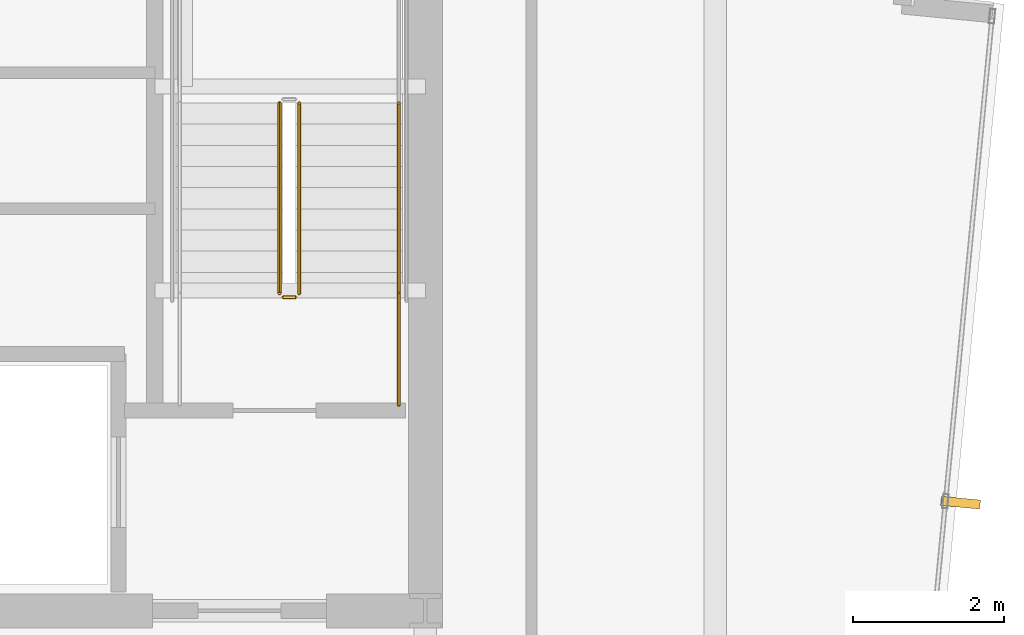
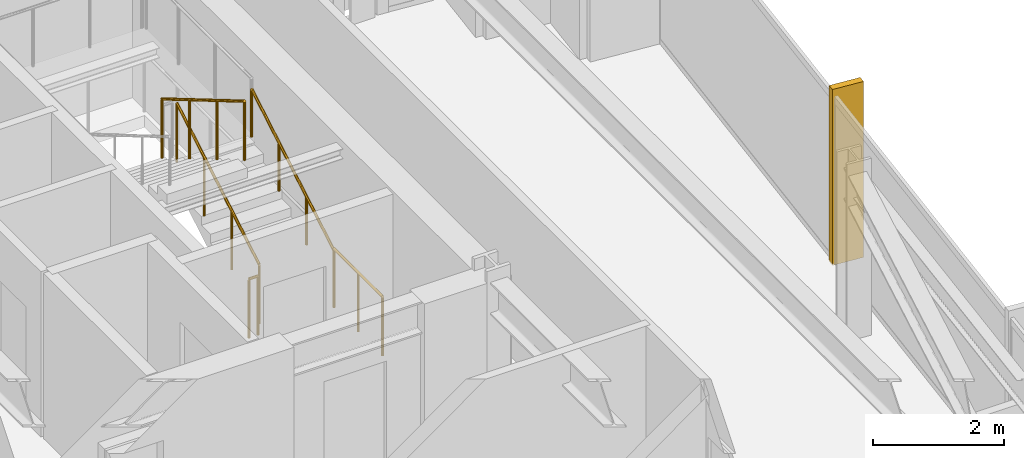
# One storey, part 36 of 38: 5 railings, 1 shading device.
"""IFC4 building model written with IfcOpenShell, lengths in metres."""

import ifcopenshell
import ifcopenshell.guid

model = None  # the IFC model being written
_history = None  # IfcOwnerHistory: only IFC2X3 demands one
_inside = {}  # id of a spatial element -> (the spatial element, [elements in it])
_under = {}  # id of a project, library or spatial element -> (it, [spatial elements below it])
_declared = {}  # id of a project -> (the project, [libraries it declares])
_typed = {}  # id of a type object -> (the type object, [elements of that type])
_made_of = {}  # id of a material, layer set ... -> (it, [elements and type objects made of it])


def new_model(schema):
    """Start an empty IFC model of exactly this schema.

    Asked for "IFC4X3", IfcOpenShell would pick the latest addendum, in which some entities
    have other attributes; the version numbers below select the first issue.
    IFC2X3 requires an IfcOwnerHistory on every rooted entity: one is made here for all.
    """
    global model, _history
    if schema == "IFC4X3":
        model = ifcopenshell.file(schema_version=(4, 3, 0, 0))
    else:
        model = ifcopenshell.file(schema=schema)
    _inside.clear()
    _under.clear()
    _declared.clear()
    _typed.clear()
    _made_of.clear()
    _history = None
    if model.schema == "IFC2X3":
        org = make("IfcOrganization", Name="unknown")
        user = make(
            "IfcPersonAndOrganization",
            ThePerson=make("IfcPerson", FamilyName="unknown"),
            TheOrganization=org,
        )
        app = make(
            "IfcApplication",
            ApplicationDeveloper=org,
            Version="unknown",
            ApplicationFullName="unknown",
            ApplicationIdentifier="unknown",
        )
        _history = make(
            "IfcOwnerHistory",
            OwningUser=user,
            OwningApplication=app,
            ChangeAction="ADDED",
            CreationDate=0,
        )
    return model


def make(cls, **values):
    """One entity of the class cls with the attributes given. An attribute that is None is left unset."""
    return model.create_entity(
        cls, **{name: value for name, value in values.items() if value is not None}
    )


def rooted(cls, **values):
    """An entity with a GlobalId (a new one), such as an element, a storey or a relation."""
    return make(cls, GlobalId=ifcopenshell.guid.new(), OwnerHistory=_history, **values)


def si_unit(unit_type, name, prefix=None):
    """IfcSIUnit, for example si_unit("LENGTHUNIT", "METRE", prefix="MILLI")."""
    return make("IfcSIUnit", UnitType=unit_type, Prefix=prefix, Name=name)


def assignment(units):
    """IfcUnitAssignment: the units of a project."""
    return None if units is None else make("IfcUnitAssignment", Units=units)


def point(xyz):
    """IfcCartesianPoint."""
    return None if xyz is None else make("IfcCartesianPoint", Coordinates=xyz)


def direction(xyz):
    """IfcDirection."""
    return None if xyz is None else make("IfcDirection", DirectionRatios=xyz)


def frame(location, z_axis=None, x_axis=None):
    """IfcAxis2Placement3D, a coordinate frame: its origin and axes. An axis left out is left unset."""
    return make(
        "IfcAxis2Placement3D",
        Location=point(location),
        Axis=direction(z_axis),
        RefDirection=direction(x_axis),
    )


def frame_2d(location, x_axis=None):
    """IfcAxis2Placement2D, a coordinate frame in the plane: its origin and x axis."""
    return make(
        "IfcAxis2Placement2D", Location=point(location), RefDirection=direction(x_axis)
    )


def origin():
    """The frame at (0, 0, 0) with its axes left unset."""
    return frame((0.0, 0.0, 0.0))


def origin_2d():
    """The frame at (0, 0) in the plane with its x axis left unset."""
    return frame_2d((0.0, 0.0))


def place(relative_to, where):
    """IfcLocalPlacement: puts the frame where relative to a parent placement (None: the world)."""
    return make(
        "IfcLocalPlacement", PlacementRelTo=relative_to, RelativePlacement=where
    )


def context(
    kind, dimensions, precision=None, world=None, true_north=None, identifier=None
):
    """IfcGeometricRepresentationContext, for example the 3D "Model" context."""
    return make(
        "IfcGeometricRepresentationContext",
        ContextIdentifier=identifier,
        ContextType=kind,
        CoordinateSpaceDimension=dimensions,
        Precision=precision,
        WorldCoordinateSystem=world,
        TrueNorth=true_north,
    )


def subcontext(parent, identifier, kind, view, scale=None):
    """IfcGeometricRepresentationSubContext, for example "Body" below "Model"."""
    return make(
        "IfcGeometricRepresentationSubContext",
        ContextIdentifier=identifier,
        ContextType=kind,
        ParentContext=parent,
        TargetScale=scale,
        TargetView=view,
    )


def project(units=None, contexts=None):
    """IfcProject with its units and contexts."""
    return rooted(
        "IfcProject",
        Name="project",
        RepresentationContexts=contexts,
        UnitsInContext=assignment(units),
    )


def spatial(cls, under=None, at=None, **own):
    """A site, building, storey or space (cls), placed at a placement, below another one or the project."""
    s = rooted(cls, ObjectPlacement=at, **own)
    if under is not None:
        _under.setdefault(under.id(), (under, []))[1].append(s)
    return s


def profile(cls, at=None, kind="AREA", **sizes):
    """A parametric profile (cls). Its sizes go by their IFC names, for example OverallWidth=200.0."""
    return make(cls, ProfileType=kind, Position=at, **sizes)


def rectangle(**sizes):
    """IfcRectangleProfileDef."""
    return profile("IfcRectangleProfileDef", **sizes)


def circle(**sizes):
    """IfcCircleProfileDef."""
    return profile("IfcCircleProfileDef", **sizes)


def extrude(swept, where, along, depth):
    """IfcExtrudedAreaSolid: the profile swept, set in the frame where, extruded along a direction by depth."""
    return make(
        "IfcExtrudedAreaSolid",
        SweptArea=swept,
        Position=where,
        ExtrudedDirection=direction(along),
        Depth=depth,
    )


def shape(context_of_items, identifier, shape_type, items):
    """IfcShapeRepresentation: the items that make up one representation, for example the "Body"."""
    return make(
        "IfcShapeRepresentation",
        ContextOfItems=context_of_items,
        RepresentationIdentifier=identifier,
        RepresentationType=shape_type,
        Items=items,
    )


def material(Name=None, Category=None):
    """IfcMaterial."""
    return make("IfcMaterial", Name=Name, Category=Category)


def layer(
    of_material, thickness, ventilated=None, Name=None, Category=None, Priority=None
):
    """IfcMaterialLayer: one layer of a wall or slab, of a material (None: an air gap)."""
    return make(
        "IfcMaterialLayer",
        Material=of_material,
        LayerThickness=thickness,
        IsVentilated=ventilated,
        Name=Name,
        Category=Category,
        Priority=Priority,
    )


def layer_set(layers, Name=None):
    """IfcMaterialLayerSet."""
    return make("IfcMaterialLayerSet", MaterialLayers=layers, LayerSetName=Name)


def made_of(thing, what):
    """Note that an element or type object is made of a material, layer set ...; save() writes the relation."""
    if what is not None:
        _made_of.setdefault(what.id(), (what, []))[1].append(thing)
    return thing


def type_object(cls, material=None, **own):
    """A type object (cls), such as IfcWallType, which elements share."""
    return made_of(rooted(cls, **own), material)


def element(
    cls,
    number,
    at=None,
    inside=None,
    cuts=None,
    type_object=None,
    material=None,
    context=None,
    identifier="Body",
    shape_type=None,
    held_by="IfcProductDefinitionShape",
    body=None,
    shapes=None,
    **own,
):
    """One element of the class cls, such as IfcWall. Its Tag is "e" and its number.

    at: its placement. inside: the storey or other place that contains it. cuts: it is an
    opening in that element (IfcRelVoidsElement). A single representation is given by context,
    identifier, shape_type and body (its items); several are given by shapes. held_by: the class
    of the entity that holds the representations. save() writes the other relations.
    """
    e = rooted(cls, Tag="e%d" % number, ObjectPlacement=at, **own)
    if body is not None:
        shapes = [shape(context, identifier, shape_type, body)]
    if shapes is not None:
        e.Representation = make(held_by, Representations=shapes)
    if inside is not None:
        _inside.setdefault(inside.id(), (inside, []))[1].append(e)
    if cuts is not None:
        rooted(
            "IfcRelVoidsElement", RelatingBuildingElement=cuts, RelatedOpeningElement=e
        )
    if type_object is not None:
        _typed.setdefault(type_object.id(), (type_object, []))[1].append(e)
    return made_of(e, material)


def aggregate(whole, parts):
    """IfcRelAggregates: a whole, such as a stair, and the parts it consists of."""
    return rooted("IfcRelAggregates", RelatingObject=whole, RelatedObjects=parts)


def save(model, path):
    """Write the relations noted so far, then the file.

    IfcRelAggregates (storeys below a building ...), IfcRelContainedInSpatialStructure (elements
    in a storey), IfcRelDefinesByType, IfcRelAssociatesMaterial and IfcRelDeclares: one each for
    every whole, place, type object, material and project.
    """
    for whole, parts in _under.values():
        aggregate(whole, parts)
    for where, things in _inside.values():
        rooted(
            "IfcRelContainedInSpatialStructure",
            RelatedElements=things,
            RelatingStructure=where,
        )
    for kind, things in _typed.values():
        rooted("IfcRelDefinesByType", RelatedObjects=things, RelatingType=kind)
    for what, things in _made_of.values():
        rooted("IfcRelAssociatesMaterial", RelatedObjects=things, RelatingMaterial=what)
    for by, libraries in _declared.values():
        rooted("IfcRelDeclares", RelatingContext=by, RelatedDefinitions=libraries)
    model.write(path)


model = new_model("IFC4")

# Units and contexts
model_context = context("Model", 3, precision=1e-05, world=origin(), true_north=direction((0.0, 1.0)))
body_context = subcontext(model_context, "Body", "Model", "MODEL_VIEW")
ifc_project = project(units=[si_unit("LENGTHUNIT", "METRE"), si_unit("AREAUNIT", "SQUARE_METRE"), si_unit("VOLUMEUNIT", "CUBIC_METRE"), si_unit("PLANEANGLEUNIT", "RADIAN"), si_unit("MASSUNIT", "GRAM", prefix="KILO")], contexts=[model_context])

# Site, building, storey
site_placement = place(None, origin())
site = spatial("IfcSite", under=ifc_project, at=site_placement, CompositionType="ELEMENT")
building_placement = place(site_placement, origin())
building = spatial("IfcBuilding", under=site, at=building_placement, Name="Yelkora Congress Tower", CompositionType="ELEMENT")
storey_placement = place(building_placement, frame((0.0, 0.0, 178.699951171875)))
storey = spatial("IfcBuildingStorey", under=building, at=storey_placement, Name="L49", CompositionType="ELEMENT", Elevation=178.699951171875)

# Railings
ifc_material_1 = material(Name="Painted galvanised steel stair well guard with vertical infill", Category="steel")
ifc_layer_1 = layer(ifc_material_1, 0.06005859375)
ifc_layer_set_1 = layer_set([ifc_layer_1], Name="Painted galvanised steel stair well guard with vertical infill")
railing_type_1 = type_object("IfcRailingType", Name="RAIL-STAIR-GUARD-1120", PredefinedType="GUARDRAIL", material=ifc_layer_set_1)
railing_1_placement = place(storey_placement, frame((52.090087890625, 39.60009765625, 0.1650390625)))
element("IfcRailing", 1, at=railing_1_placement, inside=storey, type_object=railing_type_1, Name="ST-02 L49 Stair Well Guardrail 1", PredefinedType="GUARDRAIL", context=body_context, shape_type="SweptSolid", body=[
    extrude(circle(Radius=0.02392578125, at=origin_2d()), frame((0.0, 0.0, 1.09619140625), z_axis=(0.0, 0.86152411907, 0.507716645641), x_axis=(-1.0, 0.0, 0.0)), (0.0, 0.0, 1.0), 2.925048828125),
    extrude(circle(Radius=0.02099609375, at=origin_2d()), origin(), (0.0, 0.0, 1.0), 1.072021484375),
    extrude(circle(Radius=0.02099609375, at=origin_2d()), frame((0.0, 0.840087890625, 0.4951171875)), (0.0, 0.0, 1.0), 1.072021484375),
    extrude(circle(Radius=0.02099609375, at=origin_2d()), frame((0.0, 1.679931640625, 0.989990234375)), (0.0, 0.0, 1.0), 1.072021484375),
    extrude(circle(Radius=0.02099609375, at=origin_2d()), frame((0.0, 2.52001953125, 1.485107421875)), (0.0, 0.0, 1.0), 1.072021484375),
])
railing_2_placement = place(storey_placement, frame((51.830078125, 42.1201171875, 1.81494140625)))
element("IfcRailing", 2, at=railing_2_placement, inside=storey, type_object=railing_type_1, Name="ST-02 L49 Stair Well Guardrail 6", PredefinedType="GUARDRAIL", context=body_context, shape_type="SweptSolid", body=[
    extrude(circle(Radius=0.02392578125, at=origin_2d()), frame((0.0, 0.0, 1.09619140625), z_axis=(0.0, -0.86152411907, 0.507716645641), x_axis=(1.0, 0.0, 0.0)), (0.0, 0.0, 1.0), 2.925048828125),
    extrude(circle(Radius=0.02099609375, at=origin_2d()), origin(), (0.0, 0.0, 1.0), 1.072021484375),
    extrude(circle(Radius=0.02099609375, at=origin_2d()), frame((0.0, -0.840087890625, 0.4951171875)), (0.0, 0.0, 1.0), 1.072021484375),
    extrude(circle(Radius=0.02099609375, at=origin_2d()), frame((0.0, -1.679931640625, 0.989990234375)), (0.0, 0.0, 1.0), 1.072021484375),
    extrude(circle(Radius=0.02099609375, at=origin_2d()), frame((0.0, -2.52001953125, 1.485107421875)), (0.0, 0.0, 1.0), 1.072021484375),
])
railing_3_placement = place(storey_placement, frame((52.0400390625, 39.550048828125, 0.0)))
element("IfcRailing", 3, at=railing_3_placement, inside=storey, type_object=railing_type_1, Name="ST-02 L49 Stair Well Guardrail 7", PredefinedType="GUARDRAIL", context=body_context, shape_type="SweptSolid", body=[
    extrude(circle(Radius=0.02392578125, at=origin_2d()), frame((0.0, 0.0, 1.09619140625), z_axis=(-1.0, 0.0, 0.0), x_axis=(0.0, -1.0, 0.0)), (0.0, 0.0, 1.0), 0.16015625),
    extrude(circle(Radius=0.02099609375, at=origin_2d()), origin(), (0.0, 0.0, 1.0), 1.072021484375),
    extrude(circle(Radius=0.02099609375, at=origin_2d()), frame((-0.16015625, 0.0, 0.0)), (0.0, 0.0, 1.0), 1.072021484375),
])
railing_4_placement = place(storey_placement, frame((53.409912109375, 38.1201171875, 0.0)))
element("IfcRailing", 4, at=railing_4_placement, inside=storey, type_object=railing_type_1, Name="ST-02 L49 Stair Well Guardrail 8", PredefinedType="GUARDRAIL", context=body_context, shape_type="SweptSolid", body=[
    extrude(circle(Radius=0.02392578125, at=origin_2d()), frame((0.0, 0.0, 1.09619140625), z_axis=(0.0, 1.0, 0.0), x_axis=(-1.0, 0.0, 0.0)), (0.0, 0.0, 1.0), 1.47998046875),
    extrude(circle(Radius=0.02099609375, at=origin_2d()), origin(), (0.0, 0.0, 1.0), 1.072021484375),
    extrude(circle(Radius=0.02099609375, at=origin_2d()), frame((0.0, 0.739990234375, 0.0)), (0.0, 0.0, 1.0), 1.072021484375),
    extrude(circle(Radius=0.02099609375, at=origin_2d()), frame((0.0, 1.47998046875, 0.0)), (0.0, 0.0, 1.0), 1.072021484375),
])
ifc_material_2 = material(Name="Brushed stainless steel tubular handrail", Category="steel")
ifc_layer_2 = layer(ifc_material_2, 0.050048828125)
ifc_layer_set_2 = layer_set([ifc_layer_2], Name="Brushed stainless steel tubular handrail")
railing_type_2 = type_object("IfcRailingType", Name="RAIL-STAIR-HAND-920", PredefinedType="HANDRAIL", material=ifc_layer_set_2)
railing_5_placement = place(storey_placement, frame((53.409912109375, 39.60009765625, 0.1650390625)))
element("IfcRailing", 5, at=railing_5_placement, inside=storey, type_object=railing_type_2, Name="ST-02 L49 Pitch Handrail 1", PredefinedType="HANDRAIL", context=body_context, shape_type="SweptSolid", body=[
    extrude(circle(Radius=0.02392578125, at=origin_2d()), frame((0.0, 0.0, 0.89599609375), z_axis=(0.0, 0.86152411907, 0.507716645641), x_axis=(-1.0, 0.0, 0.0)), (0.0, 0.0, 1.0), 2.925048828125),
    extrude(circle(Radius=0.02099609375, at=origin_2d()), origin(), (0.0, 0.0, 1.0), 0.871826171875),
    extrude(circle(Radius=0.02099609375, at=origin_2d()), frame((0.0, 0.840087890625, 0.4951171875)), (0.0, 0.0, 1.0), 0.871826171875),
    extrude(circle(Radius=0.02099609375, at=origin_2d()), frame((0.0, 1.679931640625, 0.989990234375)), (0.0, 0.0, 1.0), 0.871826171875),
    extrude(circle(Radius=0.02099609375, at=origin_2d()), frame((0.0, 2.52001953125, 1.485107421875)), (0.0, 0.0, 1.0), 0.871826171875),
])

# Shading device
ifc_material_3 = material(Name="Champagne anodised aluminium", Category="aluminium")
ifc_layer_3 = layer(ifc_material_3, 3.300048828125)
ifc_layer_set_3 = layer_set([ifc_layer_3], Name="Champagne anodised aluminium")
shading_device_type = type_object("IfcShadingDeviceType", Name="SHD-FIN-ALU-520", PredefinedType="USERDEFINED", material=ifc_layer_set_3)
shading_device_placement = place(storey_placement, frame((60.84521484375, 36.83056640625, -0.02978515625), z_axis=(0.0, 0.0, 1.0), x_axis=(-0.09584575252, -0.995396198367, 0.0)))
element("IfcShadingDevice", 6, at=shading_device_placement, inside=storey, type_object=shading_device_type, Name="L49 Vertical Anodised Solar Fin 15-1", ObjectType="FIN", PredefinedType="USERDEFINED", context=body_context, shape_type="SweptSolid", body=[
    extrude(rectangle(XDim=0.1201171875, YDim=0.52001953125, at=origin_2d()), origin(), (0.0, 0.0, 1.0), 3.280029296875),
])

save(model, "model.ifc")
